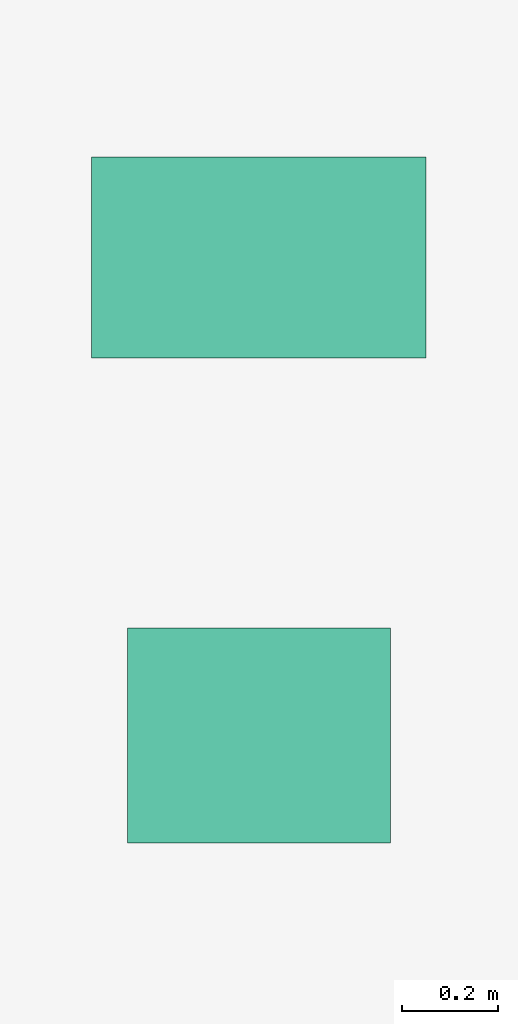
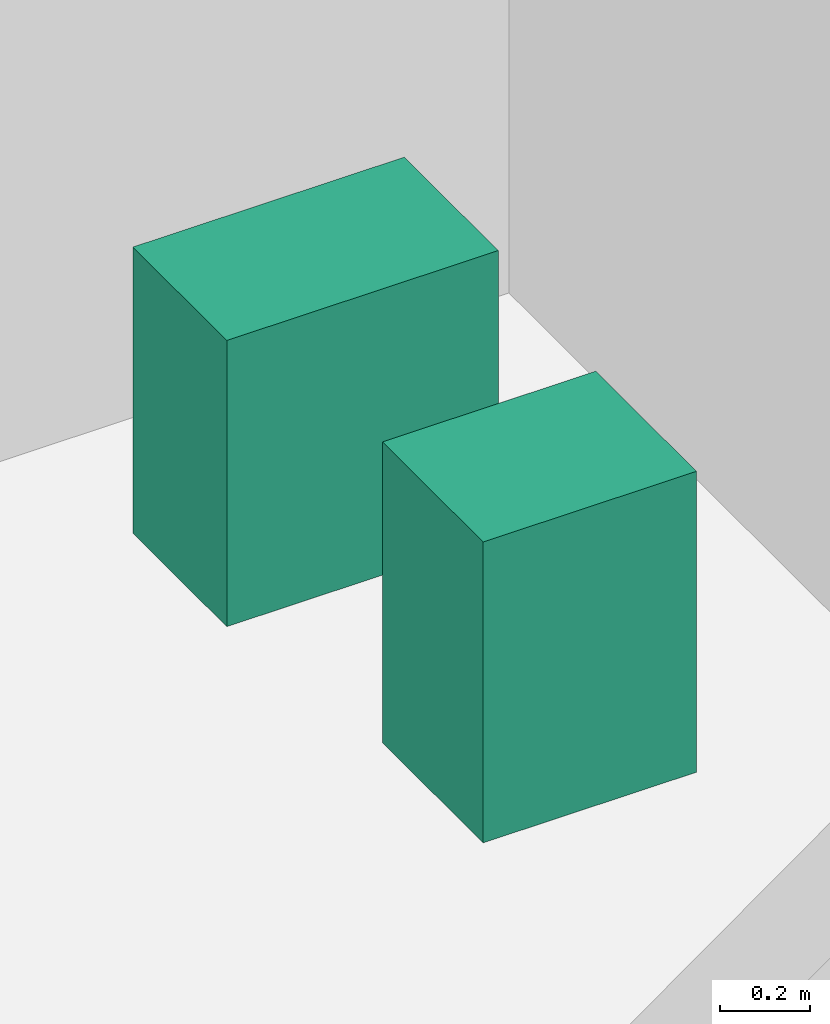
# One storey, part 26 of 26: 2 sanitary terminals.
"""IFC4 building model written with IfcOpenShell, lengths in metres."""

from ifc_helpers import new_model, si_unit, direction, frame, origin, origin_2d, place, context, subcontext, project, spatial, rectangle, extrude, source, transform, mapped, material, type_object, element, save


model = new_model("IFC4")

# Units and contexts
model_context = context("Model", 3, precision=1e-05, world=origin(), true_north=direction((0.0, 1.0)))
body_context = subcontext(model_context, "Body", "Model", "MODEL_VIEW")
ifc_project = project(units=[si_unit("LENGTHUNIT", "METRE"), si_unit("AREAUNIT", "SQUARE_METRE"), si_unit("VOLUMEUNIT", "CUBIC_METRE"), si_unit("PLANEANGLEUNIT", "RADIAN"), si_unit("MASSUNIT", "GRAM", prefix="KILO")], contexts=[model_context])

# Site, building, storey
site_placement = place(None, origin())
site = spatial("IfcSite", under=ifc_project, at=site_placement, CompositionType="ELEMENT")
building_placement = place(site_placement, origin())
building = spatial("IfcBuilding", under=site, at=building_placement, Name="Sumidabori Civic Tower", CompositionType="ELEMENT")
storey_placement = place(building_placement, frame((0.0, 0.0, 236.0)))
storey = spatial("IfcBuildingStorey", under=building, at=storey_placement, Name="L61", CompositionType="ELEMENT", Elevation=236.0)

# Sanitary terminals
ifc_material = material(Name="Vitreous Sanitary Porcelain")
sanitary_terminal_type_1 = type_object("IfcSanitaryTerminalType", Name="SN-WC-1", PredefinedType="TOILETPAN", material=ifc_material)
shared_shape_1 = source(origin(), body_context, "Body", "SweptSolid", [
    extrude(rectangle(XDim=0.699951171875, YDim=0.419921875, at=origin_2d()), origin(), (0.0, 0.0, 1.0), 0.780029296875),
])
sanitary_terminal_1_placement = place(storey_placement, frame((10.800048828125, 21.85009765625, 0.0), z_axis=(0.0, 0.0, 1.0), x_axis=(1.0, 0.0, 0.0)))
element("IfcSanitaryTerminal", 1, at=sanitary_terminal_1_placement, inside=storey, type_object=sanitary_terminal_type_1, Name="Accessible WC Pan L61", PredefinedType="TOILETPAN", context=body_context, shape_type="MappedRepresentation", body=[
    mapped(shared_shape_1, transform((0.0, 0.0, 0.0), x_axis=(1.0, 0.0, 0.0), y_axis=(0.0, 1.0, 0.0), z_axis=(0.0, 0.0, 1.0), scale=1.0)),
])
sanitary_terminal_type_2 = type_object("IfcSanitaryTerminalType", Name="SN-BAS-1", PredefinedType="WASHHANDBASIN", material=ifc_material)
shared_shape_2 = source(origin(), body_context, "Body", "SweptSolid", [
    extrude(rectangle(XDim=0.550048828125, YDim=0.449951171875, at=origin_2d()), origin(), (0.0, 0.0, 1.0), 0.820068359375),
])
sanitary_terminal_2_placement = place(storey_placement, frame((10.800048828125, 20.85009765625, 0.0), z_axis=(0.0, 0.0, 1.0), x_axis=(1.0, 0.0, 0.0)))
element("IfcSanitaryTerminal", 2, at=sanitary_terminal_2_placement, inside=storey, type_object=sanitary_terminal_type_2, Name="Accessible Basin L61", PredefinedType="WASHHANDBASIN", context=body_context, shape_type="MappedRepresentation", body=[
    mapped(shared_shape_2, transform((0.0, 0.0, 0.0), x_axis=(1.0, 0.0, 0.0), y_axis=(0.0, 1.0, 0.0), z_axis=(0.0, 0.0, 1.0), scale=1.0)),
])

save(model, "model.ifc")
